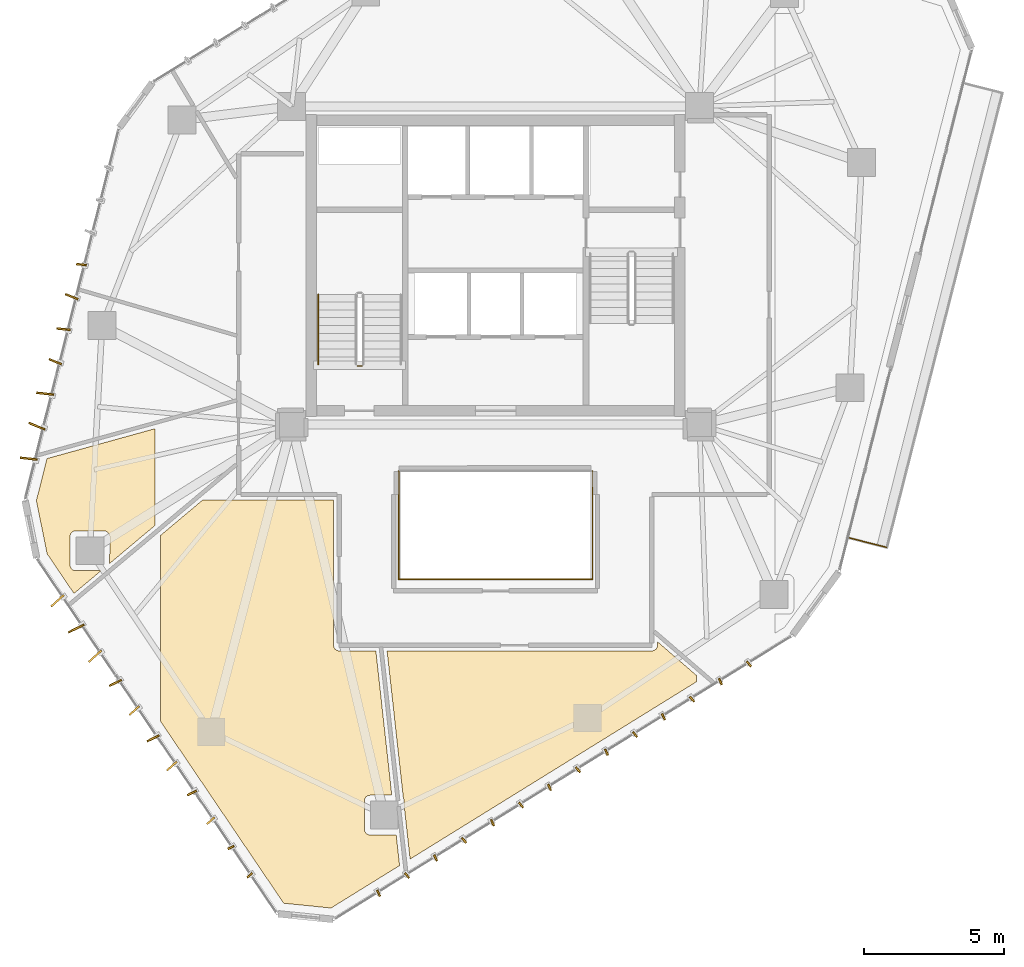
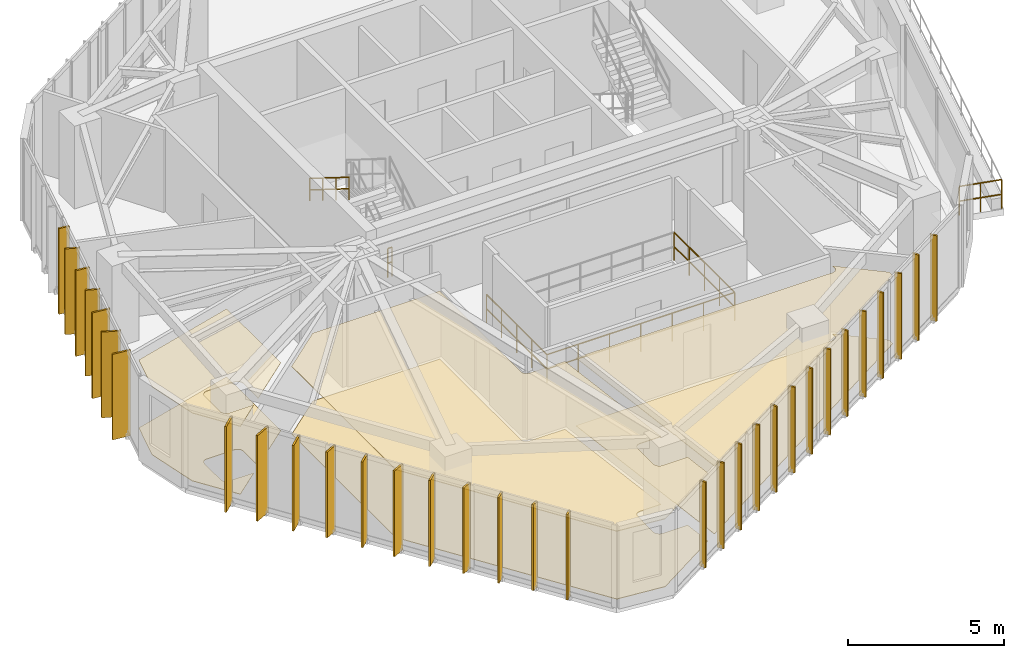
# One storey, part 19 of 21: 32 shading devices, 6 coverings, 6 railings.
"""IFC4 building model written with IfcOpenShell, lengths in metres."""

from ifc_helpers import new_model, si_unit, direction, frame, origin, origin_2d, place, context, subcontext, project, spatial, polyline, rectangle, circle, outline, extrude, source, transform, mapped, material, layer, layer_set, type_object, type_shapes, element, save


model = new_model("IFC4")

# Units and contexts
model_context = context("Model", 3, precision=1e-05, world=origin(), true_north=direction((0.0, 1.0)))
body_context = subcontext(model_context, "Body", "Model", "MODEL_VIEW")
ifc_project = project(units=[si_unit("LENGTHUNIT", "METRE"), si_unit("AREAUNIT", "SQUARE_METRE"), si_unit("VOLUMEUNIT", "CUBIC_METRE"), si_unit("PLANEANGLEUNIT", "RADIAN"), si_unit("MASSUNIT", "GRAM", prefix="KILO")], contexts=[model_context])

# Site, building, storey
site_placement = place(None, origin())
site = spatial("IfcSite", under=ifc_project, at=site_placement, CompositionType="ELEMENT")
building_placement = place(site_placement, origin())
building = spatial("IfcBuilding", under=site, at=building_placement, Name="Talar Marvaseh", CompositionType="ELEMENT")
storey_placement = place(building_placement, frame((0.0, 0.0, 184.5)))
storey = spatial("IfcBuildingStorey", under=building, at=storey_placement, Name="L48", CompositionType="ELEMENT", Elevation=184.5)

# Railings
ifc_material_1 = material(Name="Stainless Steel Grade 316", Category="steel")
railing_type_1 = type_object("IfcRailingType", Name="Brushed Stainless Wall Pitch Handrail 900", PredefinedType="HANDRAIL", material=ifc_material_1)
railing_1_placement = place(storey_placement, frame((19.64990234375, 30.169921875, 1.925048828125)))
element("IfcRailing", 1, at=railing_1_placement, inside=storey, type_object=railing_type_1, Name="L48 ST-1 stair handrail 2", PredefinedType="HANDRAIL", context=body_context, shape_type="SweptSolid", body=[
    extrude(circle(Radius=0.02392578125, at=origin_2d()), frame((0.0, 0.0, 0.8759765625), z_axis=(0.0, -0.848007534815, 0.529984170421), x_axis=(1.0, 0.0, 0.0)), (0.0, 0.0, 1.0), 2.9716796875),
    extrude(circle(Radius=0.02392578125, at=origin_2d()), frame((0.0, 0.0, 0.42578125), z_axis=(0.0, -0.848007534815, 0.529984170421), x_axis=(1.0, 0.0, 0.0)), (0.0, 0.0, 1.0), 2.9716796875),
    extrude(circle(Radius=0.02099609375, at=origin_2d()), origin(), (0.0, 0.0, 1.0), 0.851806640625),
    extrude(circle(Radius=0.02099609375, at=origin_2d()), frame((0.0, -0.840087890625, 0.52490234375)), (0.0, 0.0, 1.0), 0.851806640625),
    extrude(circle(Radius=0.02099609375, at=origin_2d()), frame((0.0, -1.679931640625, 1.050048828125)), (0.0, 0.0, 1.0), 0.851806640625),
    extrude(circle(Radius=0.02099609375, at=origin_2d()), frame((0.0, -2.52001953125, 1.574951171875)), (0.0, 0.0, 1.0), 0.851806640625),
])
ifc_material_2 = material(Name="Tempered Clear Glass", Category="glass")
railing_type_2 = type_object("IfcRailingType", Name="External Laminated Glass Terrace Balustrade 1150", PredefinedType="BALUSTRADE", material=ifc_material_2)
railing_2_placement = place(storey_placement, frame((40.00390625, 21.1064453125, 0.0)))
element("IfcRailing", 2, at=railing_2_placement, inside=storey, type_object=railing_type_2, Name="L48 External Terrace Balustrade 2 3", PredefinedType="BALUSTRADE", context=body_context, shape_type="SweptSolid", body=[
    extrude(circle(Radius=0.02392578125, at=origin_2d()), frame((0.0, 0.0, 1.1259765625), z_axis=(-0.969177640039, 0.246362947798, 0.0), x_axis=(-0.246362947798, -0.969177640039, 0.0)), (0.0, 0.0, 1.0), 1.41015625),
    extrude(circle(Radius=0.02392578125, at=origin_2d()), frame((0.0, 0.0, 0.55078125), z_axis=(-0.969177640039, 0.246362947798, 0.0), x_axis=(-0.246362947798, -0.969177640039, 0.0)), (0.0, 0.0, 1.0), 1.41015625),
    extrude(circle(Radius=0.02099609375, at=origin_2d()), origin(), (0.0, 0.0, 1.0), 1.101806640625),
    extrude(circle(Radius=0.02099609375, at=origin_2d()), frame((-0.683349609375, 0.173828125, 0.0)), (0.0, 0.0, 1.0), 1.101806640625),
    extrude(circle(Radius=0.02099609375, at=origin_2d()), frame((-1.36669921875, 0.347412109375, 0.0)), (0.0, 0.0, 1.0), 1.101806640625),
])
railing_type_3 = type_object("IfcRailingType", Name="Interior Atrium Edge Balustrade 1120", PredefinedType="BALUSTRADE", material=ifc_material_2)
railing_3_placement = place(storey_placement, frame((22.5302734375, 19.9609375, 0.0)))
element("IfcRailing", 3, at=railing_3_placement, inside=storey, type_object=railing_type_3, Name="L48 Internal Daylight Atrium Balustrade 1", PredefinedType="BALUSTRADE", context=body_context, shape_type="SweptSolid", body=[
    extrude(circle(Radius=0.02392578125, at=origin_2d()), frame((0.0, 0.0, 1.09619140625), z_axis=(1.0, 0.0, 0.0), x_axis=(0.0, 1.0, 0.0)), (0.0, 0.0, 1.0), 6.939453125),
    extrude(circle(Radius=0.02392578125, at=origin_2d()), frame((0.0, 0.0, 0.5361328125), z_axis=(1.0, 0.0, 0.0), x_axis=(0.0, 1.0, 0.0)), (0.0, 0.0, 1.0), 6.939453125),
    extrude(circle(Radius=0.02099609375, at=origin_2d()), origin(), (0.0, 0.0, 1.0), 1.072021484375),
    extrude(circle(Radius=0.02099609375, at=origin_2d()), frame((1.156494140625, 0.0, 0.0)), (0.0, 0.0, 1.0), 1.072021484375),
    extrude(circle(Radius=0.02099609375, at=origin_2d()), frame((2.313232421875, 0.0, 0.0)), (0.0, 0.0, 1.0), 1.072021484375),
    extrude(circle(Radius=0.02099609375, at=origin_2d()), frame((3.4697265625, 0.0, 0.0)), (0.0, 0.0, 1.0), 1.072021484375),
    extrude(circle(Radius=0.02099609375, at=origin_2d()), frame((4.626220703125, 0.0, 0.0)), (0.0, 0.0, 1.0), 1.072021484375),
    extrude(circle(Radius=0.02099609375, at=origin_2d()), frame((5.782958984375, 0.0, 0.0)), (0.0, 0.0, 1.0), 1.072021484375),
    extrude(circle(Radius=0.02099609375, at=origin_2d()), frame((6.939453125, 0.0, 0.0)), (0.0, 0.0, 1.0), 1.072021484375),
])
railing_4_placement = place(storey_placement, frame((29.4697265625, 19.9609375, 0.0)))
element("IfcRailing", 4, at=railing_4_placement, inside=storey, type_object=railing_type_3, Name="L48 Internal Daylight Atrium Balustrade 2", PredefinedType="BALUSTRADE", context=body_context, shape_type="SweptSolid", body=[
    extrude(circle(Radius=0.02392578125, at=origin_2d()), frame((0.0, 0.0, 1.09619140625), z_axis=(0.0, 1.0, 0.0), x_axis=(-1.0, 0.0, 0.0)), (0.0, 0.0, 1.0), 3.878173828125),
    extrude(circle(Radius=0.02392578125, at=origin_2d()), frame((0.0, 0.0, 0.5361328125), z_axis=(0.0, 1.0, 0.0), x_axis=(-1.0, 0.0, 0.0)), (0.0, 0.0, 1.0), 3.878173828125),
    extrude(circle(Radius=0.02099609375, at=origin_2d()), origin(), (0.0, 0.0, 1.0), 1.072021484375),
    extrude(circle(Radius=0.02099609375, at=origin_2d()), frame((0.0, 0.969482421875, 0.0)), (0.0, 0.0, 1.0), 1.072021484375),
    extrude(circle(Radius=0.02099609375, at=origin_2d()), frame((0.0, 1.93896484375, 0.0)), (0.0, 0.0, 1.0), 1.072021484375),
    extrude(circle(Radius=0.02099609375, at=origin_2d()), frame((0.0, 2.90869140625, 0.0)), (0.0, 0.0, 1.0), 1.072021484375),
    extrude(circle(Radius=0.02099609375, at=origin_2d()), frame((0.0, 3.878173828125, 0.0)), (0.0, 0.0, 1.0), 1.072021484375),
])
railing_5_placement = place(storey_placement, frame((22.5302734375, 23.839111328125, 0.0)))
element("IfcRailing", 5, at=railing_5_placement, inside=storey, type_object=railing_type_3, Name="L48 Internal Daylight Atrium Balustrade 4", PredefinedType="BALUSTRADE", context=body_context, shape_type="SweptSolid", body=[
    extrude(circle(Radius=0.02392578125, at=origin_2d()), frame((0.0, 0.0, 1.09619140625), z_axis=(0.0, -1.0, 0.0), x_axis=(1.0, 0.0, 0.0)), (0.0, 0.0, 1.0), 3.878173828125),
    extrude(circle(Radius=0.02392578125, at=origin_2d()), frame((0.0, 0.0, 0.5361328125), z_axis=(0.0, -1.0, 0.0), x_axis=(1.0, 0.0, 0.0)), (0.0, 0.0, 1.0), 3.878173828125),
    extrude(circle(Radius=0.02099609375, at=origin_2d()), origin(), (0.0, 0.0, 1.0), 1.072021484375),
    extrude(circle(Radius=0.02099609375, at=origin_2d()), frame((0.0, -0.969482421875, 0.0)), (0.0, 0.0, 1.0), 1.072021484375),
    extrude(circle(Radius=0.02099609375, at=origin_2d()), frame((0.0, -1.93896484375, 0.0)), (0.0, 0.0, 1.0), 1.072021484375),
    extrude(circle(Radius=0.02099609375, at=origin_2d()), frame((0.0, -2.90869140625, 0.0)), (0.0, 0.0, 1.0), 1.072021484375),
    extrude(circle(Radius=0.02099609375, at=origin_2d()), frame((0.0, -3.878173828125, 0.0)), (0.0, 0.0, 1.0), 1.072021484375),
])
railing_type_4 = type_object("IfcRailingType", Name="Painted Steel Core Stair Well Guardrail 1150", PredefinedType="GUARDRAIL", material=ifc_material_1)
railing_6_placement = place(storey_placement, frame((21.2099609375, 27.60009765625, 0.0)))
element("IfcRailing", 6, at=railing_6_placement, inside=storey, type_object=railing_type_4, Name="L48 ST-1 stair guard 4", PredefinedType="GUARDRAIL", context=body_context, shape_type="SweptSolid", body=[
    extrude(circle(Radius=0.02392578125, at=origin_2d()), frame((0.0, 0.0, 1.1259765625), z_axis=(-1.0, 0.0, 0.0), x_axis=(0.0, -1.0, 0.0)), (0.0, 0.0, 1.0), 0.159912109375),
    extrude(circle(Radius=0.02392578125, at=origin_2d()), frame((0.0, 0.0, 0.55078125), z_axis=(-1.0, 0.0, 0.0), x_axis=(0.0, -1.0, 0.0)), (0.0, 0.0, 1.0), 0.159912109375),
    extrude(circle(Radius=0.02099609375, at=origin_2d()), origin(), (0.0, 0.0, 1.0), 1.101806640625),
    extrude(circle(Radius=0.02099609375, at=origin_2d()), frame((-0.159912109375, 0.0, 0.0)), (0.0, 0.0, 1.0), 1.101806640625),
])

# Coverings
ifc_material_3 = material(Name="Mineral Fibre Acoustic Ceiling")
ifc_layer_1 = layer(ifc_material_3, 0.02490234375)
ifc_layer_set_1 = layer_set([ifc_layer_1], Name="Mineral Fibre Acoustic Ceiling")
covering_type_1 = type_object("IfcCoveringType", Name="Perforated Mineral Fibre Acoustic Suspended Ceiling", PredefinedType="CEILING", material=ifc_layer_set_1)
covering_1_placement = place(storey_placement, frame((0.0, 0.0, 2.64990234375)))
element("IfcCovering", 7, at=covering_1_placement, inside=storey, type_object=covering_type_1, Name="L48 Seminar Room Acoustic Ceiling", PredefinedType="CEILING", context=body_context, shape_type="SweptSolid", body=[
    extrude(outline(polyline([(13.800048828125, 25.35546875), (13.800048828125, 21.887451171875), (12.182861328125, 20.530517578125), (12.18701171875, 21.48681640625), (12.18603515625, 21.50537109375), (12.18359375, 21.523681640625), (12.179443359375, 21.5419921875), (12.173583984375, 21.5595703125), (12.166015625, 21.57666015625), (12.156982421875, 21.593017578125), (12.146240234375, 21.6083984375), (12.134521484375, 21.62255859375), (12.12109375, 21.6357421875), (12.106201171875, 21.649169921875), (12.092041015625, 21.660888671875), (12.07666015625, 21.67138671875), (12.060546875, 21.680419921875), (12.043701171875, 21.687744140625), (12.02587890625, 21.693603515625), (12.008056640625, 21.69775390625), (11.989501953125, 21.7001953125), (11.97119140625, 21.700927734375), (10.96044921875, 21.696533203125), (10.94091796875, 21.695556640625), (10.921630859375, 21.692626953125), (10.902587890625, 21.687744140625), (10.88427734375, 21.68115234375), (10.86669921875, 21.672607421875), (10.849853515625, 21.66259765625), (10.833984375, 21.65087890625), (10.819580078125, 21.6376953125), (10.806640625, 21.623291015625), (10.794921875, 21.607421875), (10.784912109375, 21.590576171875), (10.776611328125, 21.572998046875), (10.77001953125, 21.554443359375), (10.76513671875, 21.535400390625), (10.762451171875, 21.51611328125), (10.761474609375, 21.49658203125), (10.761474609375, 20.475341796875), (10.762451171875, 20.455810546875), (10.76513671875, 20.436279296875), (10.77001953125, 20.417236328125), (10.776611328125, 20.39892578125), (10.784912109375, 20.381103515625), (10.795166015625, 20.3642578125), (10.806884765625, 20.348388671875), (10.820068359375, 20.333984375), (10.83447265625, 20.32080078125), (10.850341796875, 20.30908203125), (10.8671875, 20.299072265625), (10.885009765625, 20.29052734375), (10.9033203125, 20.283935546875), (10.92236328125, 20.279296875), (10.94189453125, 20.2763671875), (10.96142578125, 20.275390625), (11.87890625, 20.275390625), (10.902099609375, 19.455810546875), (9.9404296875, 20.876220703125), (9.557373046875, 22.781494140625), (9.937744140625, 24.28662109375), (13.800048828125, 25.35546875)])), origin(), (0.0, 0.0, 1.0), 0.025146484375),
])
covering_2_placement = place(storey_placement, frame((0.0, 0.0, 2.64990234375)))
element("IfcCovering", 8, at=covering_2_placement, inside=storey, type_object=covering_type_1, Name="L48 Rare Books Archive Room Acoustic Ceiling", PredefinedType="CEILING", context=body_context, shape_type="SweptSolid", body=[
    extrude(outline(polyline([(16.800048828125, 22.800048828125), (20.199951171875, 22.800048828125), (20.199951171875, 17.60009765625), (20.200927734375, 17.580322265625), (20.203857421875, 17.56103515625), (20.20849609375, 17.5419921875), (20.215087890625, 17.5234375), (20.2236328125, 17.505615234375), (20.233642578125, 17.489013671875), (20.245361328125, 17.47314453125), (20.258544921875, 17.45849609375), (20.273193359375, 17.4453125), (20.288818359375, 17.43359375), (20.3056640625, 17.423583984375), (20.323486328125, 17.415283203125), (20.341796875, 17.40869140625), (20.361083984375, 17.40380859375), (20.38037109375, 17.40087890625), (20.39990234375, 17.39990234375), (21.714111328125, 17.39990234375), (22.28466796875, 12.23291015625), (21.50341796875, 12.2294921875), (21.48388671875, 12.228515625), (21.464599609375, 12.2255859375), (21.44580078125, 12.220703125), (21.427490234375, 12.214111328125), (21.409912109375, 12.205810546875), (21.39306640625, 12.19580078125), (21.37744140625, 12.18408203125), (21.363037109375, 12.1708984375), (21.349853515625, 12.156494140625), (21.338134765625, 12.140869140625), (21.328125, 12.1240234375), (21.31982421875, 12.1064453125), (21.313232421875, 12.088134765625), (21.308349609375, 12.069091796875), (21.305419921875, 12.0498046875), (21.304443359375, 12.030517578125), (21.30029296875, 11.016845703125), (21.30126953125, 10.997314453125), (21.303955078125, 10.977783203125), (21.30859375, 10.958740234375), (21.315185546875, 10.940185546875), (21.32373046875, 10.92236328125), (21.333740234375, 10.905517578125), (21.345458984375, 10.889404296875), (21.358642578125, 10.875), (21.373291015625, 10.86181640625), (21.387939453125, 10.849609375), (21.40380859375, 10.837890625), (21.420654296875, 10.82763671875), (21.438720703125, 10.819091796875), (21.457275390625, 10.8125), (21.476318359375, 10.807861328125), (21.495849609375, 10.804931640625), (21.515625, 10.803955078125), (22.442138671875, 10.80712890625), (22.563232421875, 9.710205078125), (20.1064453125, 8.189453125), (18.412109375, 8.3623046875), (14.0, 14.8798828125), (14.0, 21.532958984375), (15.510009765625, 22.800048828125), (16.800048828125, 22.800048828125)])), origin(), (0.0, 0.0, 1.0), 0.025146484375),
])
covering_3_placement = place(storey_placement, frame((0.0, 0.0, 2.64990234375)))
element("IfcCovering", 9, at=covering_3_placement, inside=storey, type_object=covering_type_1, Name="L48 Colloquium Boardroom Acoustic Ceiling", PredefinedType="CEILING", context=body_context, shape_type="SweptSolid", body=[
    extrude(outline(polyline([(31.60009765625, 17.39990234375), (31.61962890625, 17.40087890625), (31.638916015625, 17.40380859375), (31.658203125, 17.40869140625), (31.676513671875, 17.415283203125), (31.6943359375, 17.423583984375), (31.711181640625, 17.43359375), (31.726806640625, 17.4453125), (31.741455078125, 17.45849609375), (31.754638671875, 17.47314453125), (31.766357421875, 17.489013671875), (31.7763671875, 17.505615234375), (31.784912109375, 17.5234375), (31.79150390625, 17.5419921875), (31.796142578125, 17.56103515625), (31.799072265625, 17.580322265625), (31.800048828125, 17.60009765625), (31.800048828125, 17.727294921875), (33.199951171875, 16.51708984375), (33.199951171875, 16.294921875), (22.93994140625, 9.943359375), (22.72998046875, 11.844482421875), (22.72998046875, 12.0205078125), (22.728759765625, 12.042236328125), (22.72509765625, 12.0634765625), (22.719482421875, 12.084228515625), (22.71142578125, 12.104248046875), (22.701416015625, 12.123291015625), (22.698486328125, 12.1279296875), (22.116455078125, 17.39990234375), (31.60009765625, 17.39990234375)])), origin(), (0.0, 0.0, 1.0), 0.025146484375),
])
ifc_material_4 = material(Name="Porcelain Stoneware Tile", Category="masonry")
ifc_layer_2 = layer(ifc_material_4, 0.02001953125)
ifc_layer_set_2 = layer_set([ifc_layer_2], Name="Porcelain Stoneware Tile")
covering_type_2 = type_object("IfcCoveringType", Name="Polished Porcelain Stoneware Gallery Flooring", PredefinedType="FLOORING", material=ifc_layer_set_2)
covering_4_placement = place(storey_placement, origin())
element("IfcCovering", 10, at=covering_4_placement, inside=storey, type_object=covering_type_2, Name="L48 Seminar Room Flooring", PredefinedType="FLOORING", context=body_context, shape_type="SweptSolid", body=[
    extrude(outline(polyline([(13.800048828125, 25.35546875), (13.800048828125, 21.887451171875), (12.182861328125, 20.530517578125), (12.18701171875, 21.48681640625), (12.18603515625, 21.50537109375), (12.18359375, 21.523681640625), (12.179443359375, 21.5419921875), (12.173583984375, 21.5595703125), (12.166015625, 21.57666015625), (12.156982421875, 21.593017578125), (12.146240234375, 21.6083984375), (12.134521484375, 21.62255859375), (12.12109375, 21.6357421875), (12.106201171875, 21.649169921875), (12.092041015625, 21.660888671875), (12.07666015625, 21.67138671875), (12.060546875, 21.680419921875), (12.043701171875, 21.687744140625), (12.02587890625, 21.693603515625), (12.008056640625, 21.69775390625), (11.989501953125, 21.7001953125), (11.97119140625, 21.700927734375), (10.96044921875, 21.696533203125), (10.94091796875, 21.695556640625), (10.921630859375, 21.692626953125), (10.902587890625, 21.687744140625), (10.88427734375, 21.68115234375), (10.86669921875, 21.672607421875), (10.849853515625, 21.66259765625), (10.833984375, 21.65087890625), (10.819580078125, 21.6376953125), (10.806640625, 21.623291015625), (10.794921875, 21.607421875), (10.784912109375, 21.590576171875), (10.776611328125, 21.572998046875), (10.77001953125, 21.554443359375), (10.76513671875, 21.535400390625), (10.762451171875, 21.51611328125), (10.761474609375, 21.49658203125), (10.761474609375, 20.475341796875), (10.762451171875, 20.455810546875), (10.76513671875, 20.436279296875), (10.77001953125, 20.417236328125), (10.776611328125, 20.39892578125), (10.784912109375, 20.381103515625), (10.795166015625, 20.3642578125), (10.806884765625, 20.348388671875), (10.820068359375, 20.333984375), (10.83447265625, 20.32080078125), (10.850341796875, 20.30908203125), (10.8671875, 20.299072265625), (10.885009765625, 20.29052734375), (10.9033203125, 20.283935546875), (10.92236328125, 20.279296875), (10.94189453125, 20.2763671875), (10.96142578125, 20.275390625), (11.87890625, 20.275390625), (10.902099609375, 19.455810546875), (9.9404296875, 20.876220703125), (9.557373046875, 22.781494140625), (9.937744140625, 24.28662109375), (13.800048828125, 25.35546875)])), origin(), (0.0, 0.0, 1.0), 0.02001953125),
])
covering_5_placement = place(storey_placement, origin())
element("IfcCovering", 11, at=covering_5_placement, inside=storey, type_object=covering_type_2, Name="L48 Rare Books Archive Room Flooring", PredefinedType="FLOORING", context=body_context, shape_type="SweptSolid", body=[
    extrude(outline(polyline([(16.800048828125, 22.800048828125), (20.199951171875, 22.800048828125), (20.199951171875, 17.60009765625), (20.200927734375, 17.580322265625), (20.203857421875, 17.56103515625), (20.20849609375, 17.5419921875), (20.215087890625, 17.5234375), (20.2236328125, 17.505615234375), (20.233642578125, 17.489013671875), (20.245361328125, 17.47314453125), (20.258544921875, 17.45849609375), (20.273193359375, 17.4453125), (20.288818359375, 17.43359375), (20.3056640625, 17.423583984375), (20.323486328125, 17.415283203125), (20.341796875, 17.40869140625), (20.361083984375, 17.40380859375), (20.38037109375, 17.40087890625), (20.39990234375, 17.39990234375), (21.714111328125, 17.39990234375), (22.28466796875, 12.23291015625), (21.50341796875, 12.2294921875), (21.48388671875, 12.228515625), (21.464599609375, 12.2255859375), (21.44580078125, 12.220703125), (21.427490234375, 12.214111328125), (21.409912109375, 12.205810546875), (21.39306640625, 12.19580078125), (21.37744140625, 12.18408203125), (21.363037109375, 12.1708984375), (21.349853515625, 12.156494140625), (21.338134765625, 12.140869140625), (21.328125, 12.1240234375), (21.31982421875, 12.1064453125), (21.313232421875, 12.088134765625), (21.308349609375, 12.069091796875), (21.305419921875, 12.0498046875), (21.304443359375, 12.030517578125), (21.30029296875, 11.016845703125), (21.30126953125, 10.997314453125), (21.303955078125, 10.977783203125), (21.30859375, 10.958740234375), (21.315185546875, 10.940185546875), (21.32373046875, 10.92236328125), (21.333740234375, 10.905517578125), (21.345458984375, 10.889404296875), (21.358642578125, 10.875), (21.373291015625, 10.86181640625), (21.387939453125, 10.849609375), (21.40380859375, 10.837890625), (21.420654296875, 10.82763671875), (21.438720703125, 10.819091796875), (21.457275390625, 10.8125), (21.476318359375, 10.807861328125), (21.495849609375, 10.804931640625), (21.515625, 10.803955078125), (22.442138671875, 10.80712890625), (22.563232421875, 9.710205078125), (20.1064453125, 8.189453125), (18.412109375, 8.3623046875), (14.0, 14.8798828125), (14.0, 21.532958984375), (15.510009765625, 22.800048828125), (16.800048828125, 22.800048828125)])), origin(), (0.0, 0.0, 1.0), 0.02001953125),
])
covering_6_placement = place(storey_placement, origin())
element("IfcCovering", 12, at=covering_6_placement, inside=storey, type_object=covering_type_2, Name="L48 Colloquium Boardroom Flooring", PredefinedType="FLOORING", context=body_context, shape_type="SweptSolid", body=[
    extrude(outline(polyline([(31.60009765625, 17.39990234375), (31.61962890625, 17.40087890625), (31.638916015625, 17.40380859375), (31.658203125, 17.40869140625), (31.676513671875, 17.415283203125), (31.6943359375, 17.423583984375), (31.711181640625, 17.43359375), (31.726806640625, 17.4453125), (31.741455078125, 17.45849609375), (31.754638671875, 17.47314453125), (31.766357421875, 17.489013671875), (31.7763671875, 17.505615234375), (31.784912109375, 17.5234375), (31.79150390625, 17.5419921875), (31.796142578125, 17.56103515625), (31.799072265625, 17.580322265625), (31.800048828125, 17.60009765625), (31.800048828125, 17.727294921875), (33.199951171875, 16.51708984375), (33.199951171875, 16.294921875), (22.93994140625, 9.943359375), (22.72998046875, 11.844482421875), (22.72998046875, 12.0205078125), (22.728759765625, 12.042236328125), (22.72509765625, 12.0634765625), (22.719482421875, 12.084228515625), (22.71142578125, 12.104248046875), (22.701416015625, 12.123291015625), (22.698486328125, 12.1279296875), (22.116455078125, 17.39990234375), (31.60009765625, 17.39990234375)])), origin(), (0.0, 0.0, 1.0), 0.02001953125),
])

# Shading devices
ifc_material_5 = material(Name="Anodised Champagne Bronze Aluminium", Category="aluminium")
ifc_layer_3 = layer(ifc_material_5, 0.06494140625)
ifc_layer_set_3 = layer_set([ifc_layer_3], Name="Anodised Champagne Bronze Aluminium")
shading_device_type_1 = type_object("IfcShadingDeviceType", Name="Sawtooth Champagne Bronze Vertical Fin 240", PredefinedType="USERDEFINED", material=ifc_layer_set_3)
shared_shape_1 = source(origin(), body_context, "Body", "SweptSolid", [
    extrude(rectangle(XDim=0.239990234375, YDim=0.06494140625, at=origin_2d()), origin(), (0.0, 0.0, 1.0), 3.35009765625),
])
type_shapes(shading_device_type_1, [shared_shape_1])
for number, where, z_axis, x_axis, name in (
    (13, (17.19677734375, 9.36376953125, -0.1201171875), (0.0, 0.0, 1.0), (-0.741975840976, -0.670426618959, 0.0), "L48 Sawtooth Vertical Solar Fin"),
    (14, (16.52392578125, 10.357421875, -0.1201171875), (0.0, 0.0, 1.0), (-0.898027575761, -0.439939169856, 0.0), "L48 Sawtooth Vertical Solar Fin"),
    (15, (35.074462890625, 16.931884765625, -0.1201171875), (0.0, 0.0, 1.0), (0.639573180455, -0.768730217204, 0.0), "L48 Sawtooth Vertical Solar Fin"),
    (16, (34.05419921875, 16.30029296875, -0.1201171875), (0.0, 0.0, 1.0), (0.402906435714, -0.915241172621, 0.0), "L48 Sawtooth Vertical Solar Fin"),
    (17, (33.033935546875, 15.668701171875, -0.1201171875), (0.0, 0.0, 1.0), (0.639573180455, -0.768730217204, 0.0), "L48 Sawtooth Vertical Solar Fin"),
    (18, (32.013427734375, 15.036865234375, -0.1201171875), (0.0, 0.0, 1.0), (0.402906435714, -0.915241172621, 0.0), "L48 Sawtooth Vertical Solar Fin"),
    (19, (30.9931640625, 14.4052734375, -0.1201171875), (0.0, 0.0, 1.0), (0.639573180455, -0.768730217204, 0.0), "L48 Sawtooth Vertical Solar Fin"),
    (20, (29.972900390625, 13.773681640625, -0.1201171875), (0.0, 0.0, 1.0), (0.402906435714, -0.915241172621, 0.0), "L48 Sawtooth Vertical Solar Fin"),
    (21, (28.95263671875, 13.14208984375, -0.1201171875), (0.0, 0.0, 1.0), (0.639573180455, -0.768730217204, 0.0), "L48 Sawtooth Vertical Solar Fin"),
    (22, (27.932373046875, 12.510498046875, -0.1201171875), (0.0, 0.0, 1.0), (0.402906435714, -0.915241172621, 0.0), "L48 Sawtooth Vertical Solar Fin"),
    (23, (26.911865234375, 11.87890625, -0.1201171875), (0.0, 0.0, 1.0), (0.639573180455, -0.768730217204, 0.0), "L48 Sawtooth Vertical Solar Fin"),
    (24, (25.8916015625, 11.247314453125, -0.1201171875), (0.0, 0.0, 1.0), (0.402906435714, -0.915241172621, 0.0), "L48 Sawtooth Vertical Solar Fin"),
    (25, (24.871337890625, 10.615478515625, -0.1201171875), (0.0, 0.0, 1.0), (0.639573180455, -0.768730217204, 0.0), "L48 Sawtooth Vertical Solar Fin"),
    (26, (23.85107421875, 9.98388671875, -0.1201171875), (0.0, 0.0, 1.0), (0.402906435714, -0.915241172621, 0.0), "L48 Sawtooth Vertical Solar Fin"),
    (27, (22.83056640625, 9.352294921875, -0.1201171875), (0.0, 0.0, 1.0), (0.639573180455, -0.768730217204, 0.0), "L48 Sawtooth Vertical Solar Fin"),
    (28, (21.810302734375, 8.720703125, -0.1201171875), (0.0, 0.0, 1.0), (0.402906435714, -0.915241172621, 0.0), "L48 Sawtooth Vertical Solar Fin"),
):
    element("IfcShadingDevice", number, at=place(storey_placement, frame(where, z_axis=z_axis, x_axis=x_axis)), inside=storey, type_object=shading_device_type_1, Name=name, ObjectType="FIN", PredefinedType="USERDEFINED", context=body_context, shape_type="MappedRepresentation", body=[
        mapped(shared_shape_1, transform((0.0, 0.0, 0.0), x_axis=(1.0, 0.0, 0.0), y_axis=(0.0, 1.0, 0.0), z_axis=(0.0, 0.0, 1.0), scale=1.0)),
    ])
ifc_layer_4 = layer(ifc_material_5, 0.06494140625)
ifc_layer_set_4 = layer_set([ifc_layer_4], Name="Anodised Champagne Bronze Aluminium")
shading_device_type_2 = type_object("IfcShadingDeviceType", Name="Sawtooth Champagne Bronze Vertical Fin 360", PredefinedType="USERDEFINED", material=ifc_layer_set_4)
shared_shape_2 = source(origin(), body_context, "Body", "SweptSolid", [
    extrude(rectangle(XDim=0.360107421875, YDim=0.06494140625, at=origin_2d()), origin(), (0.0, 0.0, 1.0), 3.35009765625),
])
type_shapes(shading_device_type_2, [shared_shape_2])
for number, where, z_axis, x_axis, name in (
    (29, (15.801513671875, 11.317626953125, -0.1201171875), (0.0, 0.0, 1.0), (-0.741975840976, -0.670426618959, 0.0), "L48 Sawtooth Vertical Solar Fin"),
    (30, (15.12890625, 12.311279296875, -0.1201171875), (0.0, 0.0, 1.0), (-0.898027575761, -0.439939169856, 0.0), "L48 Sawtooth Vertical Solar Fin"),
    (31, (11.172119140625, 31.232177734375, -0.1201171875), (0.0, 0.0, 1.0), (-0.994188602291, 0.107652324982, 0.0), "L48 Sawtooth Vertical Solar Fin"),
):
    element("IfcShadingDevice", number, at=place(storey_placement, frame(where, z_axis=z_axis, x_axis=x_axis)), inside=storey, type_object=shading_device_type_2, Name=name, ObjectType="FIN", PredefinedType="USERDEFINED", context=body_context, shape_type="MappedRepresentation", body=[
        mapped(shared_shape_2, transform((0.0, 0.0, 0.0), x_axis=(1.0, 0.0, 0.0), y_axis=(0.0, 1.0, 0.0), z_axis=(0.0, 0.0, 1.0), scale=1.0)),
    ])
ifc_layer_5 = layer(ifc_material_5, 0.06494140625)
ifc_layer_set_5 = layer_set([ifc_layer_5], Name="Anodised Champagne Bronze Aluminium")
shading_device_type_3 = type_object("IfcShadingDeviceType", Name="Sawtooth Champagne Bronze Vertical Fin 480", PredefinedType="USERDEFINED", material=ifc_layer_set_5)
shared_shape_3 = source(origin(), body_context, "Body", "SweptSolid", [
    extrude(rectangle(XDim=0.47998046875, YDim=0.06494140625, at=origin_2d()), origin(), (0.0, 0.0, 1.0), 3.35009765625),
])
type_shapes(shading_device_type_3, [shared_shape_3])
for number, where, z_axis, x_axis, name in (
    (32, (14.406494140625, 13.271484375, -0.1201171875), (0.0, 0.0, 1.0), (-0.741975840976, -0.670426618959, 0.0), "L48 Sawtooth Vertical Solar Fin"),
    (33, (13.73388671875, 14.26513671875, -0.1201171875), (0.0, 0.0, 1.0), (-0.898027575761, -0.439939169856, 0.0), "L48 Sawtooth Vertical Solar Fin"),
    (34, (13.06103515625, 15.2587890625, -0.1201171875), (0.0, 0.0, 1.0), (-0.741975840976, -0.670426618959, 0.0), "L48 Sawtooth Vertical Solar Fin"),
    (35, (12.388427734375, 16.25244140625, -0.1201171875), (0.0, 0.0, 1.0), (-0.898027575761, -0.439939169856, 0.0), "L48 Sawtooth Vertical Solar Fin"),
    (36, (10.231689453125, 27.756591796875, -0.1201171875), (0.0, 0.0, 1.0), (-0.926002419716, 0.377517574003, 0.0), "L48 Sawtooth Vertical Solar Fin"),
    (37, (10.52587890625, 28.919921875, -0.1201171875), (0.0, 0.0, 1.0), (-0.994188602291, 0.107652324982, 0.0), "L48 Sawtooth Vertical Solar Fin"),
    (38, (10.81982421875, 30.083251953125, -0.1201171875), (0.0, 0.0, 1.0), (-0.926002419716, 0.377517574003, 0.0), "L48 Sawtooth Vertical Solar Fin"),
):
    element("IfcShadingDevice", number, at=place(storey_placement, frame(where, z_axis=z_axis, x_axis=x_axis)), inside=storey, type_object=shading_device_type_3, Name=name, ObjectType="FIN", PredefinedType="USERDEFINED", context=body_context, shape_type="MappedRepresentation", body=[
        mapped(shared_shape_3, transform((0.0, 0.0, 0.0), x_axis=(1.0, 0.0, 0.0), y_axis=(0.0, 1.0, 0.0), z_axis=(0.0, 0.0, 1.0), scale=1.0)),
    ])
ifc_layer_6 = layer(ifc_material_5, 0.06494140625)
ifc_layer_set_6 = layer_set([ifc_layer_6], Name="Anodised Champagne Bronze Aluminium")
shading_device_type_4 = type_object("IfcShadingDeviceType", Name="Sawtooth Champagne Bronze Vertical Fin 620", PredefinedType="USERDEFINED", material=ifc_layer_set_6)
shared_shape_4 = source(origin(), body_context, "Body", "SweptSolid", [
    extrude(rectangle(XDim=0.6201171875, YDim=0.06494140625, at=origin_2d()), origin(), (0.0, 0.0, 1.0), 3.35009765625),
])
type_shapes(shading_device_type_4, [shared_shape_4])
for number, where, z_axis, x_axis, name in (
    (39, (11.65771484375, 17.20703125, -0.1201171875), (0.0, 0.0, 1.0), (-0.741975840976, -0.670426618959, 0.0), "L48 Sawtooth Vertical Solar Fin"),
    (40, (10.985107421875, 18.20068359375, -0.1201171875), (0.0, 0.0, 1.0), (-0.898027575761, -0.439939169856, 0.0), "L48 Sawtooth Vertical Solar Fin"),
    (41, (10.312255859375, 19.1943359375, -0.1201171875), (0.0, 0.0, 1.0), (-0.741975840976, -0.670426618959, 0.0), "L48 Sawtooth Vertical Solar Fin"),
    (42, (9.281982421875, 24.283447265625, -0.1201171875), (0.0, 0.0, 1.0), (-0.994188602291, 0.107652324982, 0.0), "L48 Sawtooth Vertical Solar Fin"),
    (43, (9.575927734375, 25.44677734375, -0.1201171875), (0.0, 0.0, 1.0), (-0.926002419716, 0.377517574003, 0.0), "L48 Sawtooth Vertical Solar Fin"),
    (44, (9.869873046875, 26.610107421875, -0.1201171875), (0.0, 0.0, 1.0), (-0.994188602291, 0.107652324982, 0.0), "L48 Sawtooth Vertical Solar Fin"),
):
    element("IfcShadingDevice", number, at=place(storey_placement, frame(where, z_axis=z_axis, x_axis=x_axis)), inside=storey, type_object=shading_device_type_4, Name=name, ObjectType="FIN", PredefinedType="USERDEFINED", context=body_context, shape_type="MappedRepresentation", body=[
        mapped(shared_shape_4, transform((0.0, 0.0, 0.0), x_axis=(1.0, 0.0, 0.0), y_axis=(0.0, 1.0, 0.0), z_axis=(0.0, 0.0, 1.0), scale=1.0)),
    ])

save(model, "model.ifc")
